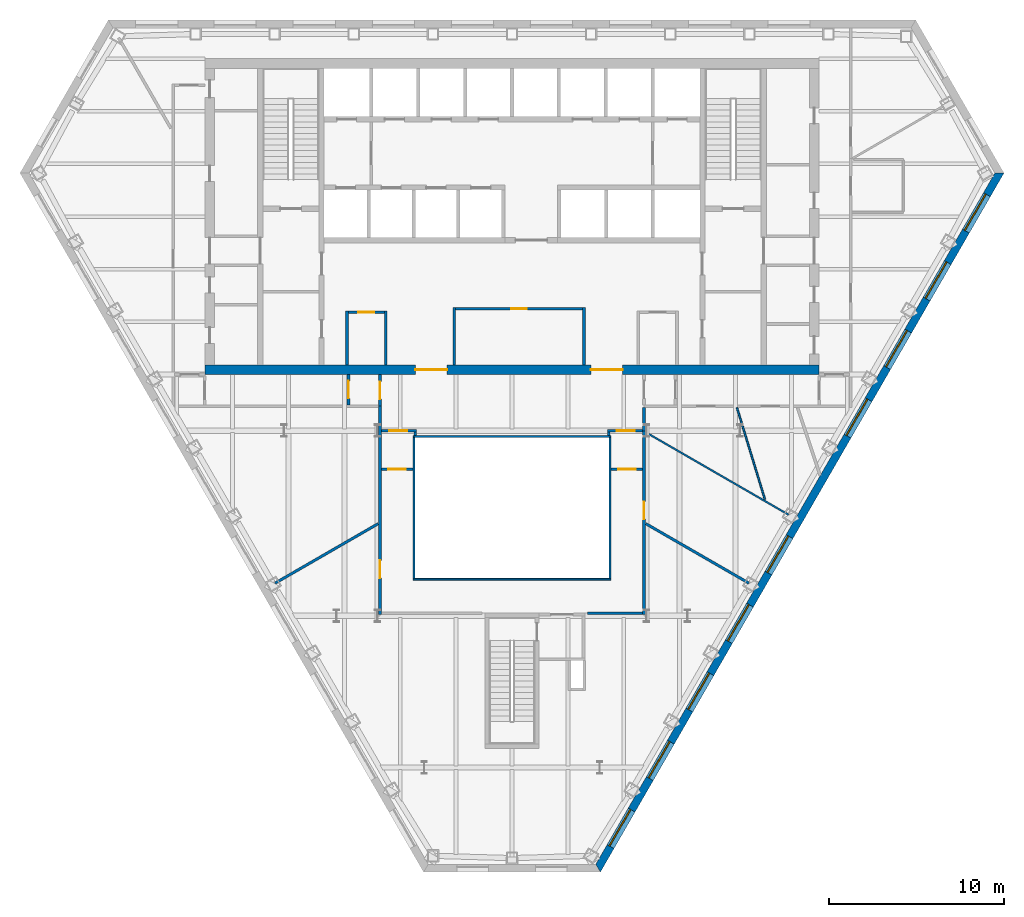
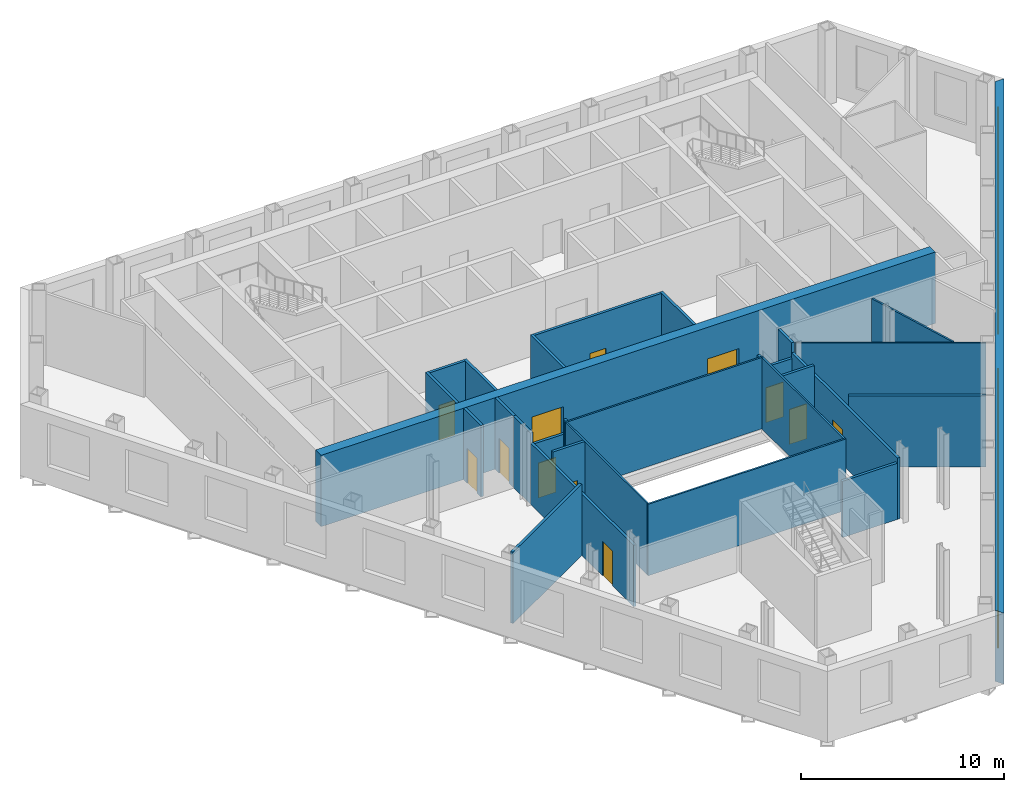
# One storey, part 5 of 11: 29 walls, 12 doors, 9 windows, 21 openings.
"""IFC4 building model written with IfcOpenShell, lengths in metres."""

from ifc_helpers import new_model, si_unit, direction, frame, frame_2d, origin, place, context, subcontext, project, spatial, polyline, rectangle, outline, extrude, material, layer, layer_set, type_object, element, fill, save


model = new_model("IFC4")

# Units and contexts
model_context = context("Model", 3, precision=1e-05, world=origin(), true_north=direction((0.0, 1.0)))
body_context = subcontext(model_context, "Body", "Model", "MODEL_VIEW")
ifc_project = project(units=[si_unit("LENGTHUNIT", "METRE"), si_unit("AREAUNIT", "SQUARE_METRE"), si_unit("VOLUMEUNIT", "CUBIC_METRE"), si_unit("PLANEANGLEUNIT", "RADIAN"), si_unit("MASSUNIT", "GRAM", prefix="KILO")], contexts=[model_context])

# Site, building, storey
site_placement = place(None, origin())
site = spatial("IfcSite", under=ifc_project, at=site_placement, CompositionType="ELEMENT")
building_placement = place(site_placement, origin())
building = spatial("IfcBuilding", under=site, at=building_placement, Name="Njiva Tower", CompositionType="ELEMENT")
storey_placement = place(building_placement, frame((0.0, 0.0, 97.8)))
storey = spatial("IfcBuildingStorey", under=building, at=storey_placement, Name="L20", CompositionType="ELEMENT", Elevation=97.8)

# Walls
ifc_material_1 = material(Name="Blockwork", Category="masonry")
ifc_layer_1 = layer(ifc_material_1, 0.15)
ifc_layer_set_1 = layer_set([ifc_layer_1], Name="Blockwork")
wall_type_1 = type_object("IfcWallType", Name="WT1 Compartment partition 150", PredefinedType="PARTITIONING", material=ifc_layer_set_1)
for number, where, z_axis, x_axis, name in (
    (1, (-3.3, 0.55, 0.0), (0.0, 0.0, 1.0), (0.0, 1.0, 0.0), "Waiting room wall west"),
    (2, (4.1, 0.55, 0.0), (0.0, 0.0, 1.0), (0.0, 1.0, 0.0), "Waiting room wall east"),
):
    element("IfcWall", number, at=place(storey_placement, frame(where, z_axis=z_axis, x_axis=x_axis)), inside=storey, type_object=wall_type_1, Name=name, PredefinedType="PARTITIONING", context=body_context, shape_type="SweptSolid", body=[
        extrude(rectangle(XDim=3.275, YDim=0.15, at=frame_2d((1.6375, 0.0))), origin(), (0.0, 0.0, 1.0), 4.3),
    ])

# Wall, opening, door
wall_1_placement = place(storey_placement, frame((-3.225, 3.75, 0.0), z_axis=(0.0, 0.0, 1.0), x_axis=(1.0, 0.0, 0.0)))
wall_1 = element("IfcWall", 3, at=wall_1_placement, inside=storey, type_object=wall_type_1, Name="Waiting room wall north", PredefinedType="PARTITIONING", context=body_context, shape_type="SweptSolid", body=[
    extrude(rectangle(XDim=7.25, YDim=0.15, at=frame_2d((3.625, 0.0))), origin(), (0.0, 0.0, 1.0), 4.3),
])
opening_1_placement = place(wall_1_placement, frame((3.175, 0.0, 0.0)))
opening_1 = element("IfcOpeningElement", 4, at=opening_1_placement, cuts=wall_1, Name="Opening S07-D933", PredefinedType="OPENING", context=body_context, shape_type="SweptSolid", body=[
    extrude(rectangle(XDim=0.9, YDim=2.1, at=frame_2d((0.45, 1.05))), frame((0.0, 0.085, 0.0), z_axis=(0.0, -1.0, 0.0), x_axis=(1.0, 0.0, 0.0)), (0.0, 0.0, 1.0), 0.17),
])
ifc_material_2 = material(Name="Steel fire door, painted", Category="steel")
door_type_1 = type_object("IfcDoorType", Name="D6 Fire-rated door 900x2100", OperationType="SINGLE_SWING_LEFT", PredefinedType="DOOR", material=ifc_material_2)
door_1_placement = place(opening_1_placement, origin())
door_1 = element("IfcDoor", 5, at=door_1_placement, inside=storey, type_object=door_type_1, Name="Waiting room door", OperationType="SINGLE_SWING_LEFT", OverallHeight=2.1, OverallWidth=0.9, PredefinedType="DOOR", context=body_context, shape_type="SweptSolid", body=[
    extrude(rectangle(XDim=0.9, YDim=2.1, at=frame_2d((0.45, 1.05))), frame((0.0, 0.025, 0.0), z_axis=(0.0, -1.0, 0.0), x_axis=(1.0, 0.0, 0.0)), (0.0, 0.0, 1.0), 0.05),
])
fill(opening_1, door_1)

# Walls
for number, where, z_axis, x_axis, name in (
    (6, (-9.4, 0.55, 0.0), (0.0, 0.0, 1.0), (0.0, 1.0, 0.0), "First aid room wall west"),
    (7, (-7.2, 0.55, 0.0), (0.0, 0.0, 1.0), (0.0, 1.0, 0.0), "First aid room wall east"),
):
    element("IfcWall", number, at=place(storey_placement, frame(where, z_axis=z_axis, x_axis=x_axis)), inside=storey, type_object=wall_type_1, Name=name, PredefinedType="PARTITIONING", context=body_context, shape_type="SweptSolid", body=[
        extrude(rectangle(XDim=3.075, YDim=0.15, at=frame_2d((1.5375, 0.0))), origin(), (0.0, 0.0, 1.0), 4.3),
    ])

# Wall, opening, door
wall_2_placement = place(storey_placement, frame((-9.325, 3.55, 0.0), z_axis=(0.0, 0.0, 1.0), x_axis=(1.0, 0.0, 0.0)))
wall_2 = element("IfcWall", 8, at=wall_2_placement, inside=storey, type_object=wall_type_1, Name="First aid room wall north", PredefinedType="PARTITIONING", context=body_context, shape_type="SweptSolid", body=[
    extrude(rectangle(XDim=2.05, YDim=0.15, at=frame_2d((1.025, 0.0))), origin(), (0.0, 0.0, 1.0), 4.3),
])
opening_2_placement = place(wall_2_placement, frame((0.575, 0.0, 0.0)))
opening_2 = element("IfcOpeningElement", 9, at=opening_2_placement, cuts=wall_2, Name="Opening S07-D934", PredefinedType="OPENING", context=body_context, shape_type="SweptSolid", body=[
    extrude(rectangle(XDim=0.9, YDim=2.1, at=frame_2d((0.45, 1.05))), frame((0.0, 0.085, 0.0), z_axis=(0.0, -1.0, 0.0), x_axis=(1.0, 0.0, 0.0)), (0.0, 0.0, 1.0), 0.17),
])
door_2_placement = place(opening_2_placement, origin())
door_2 = element("IfcDoor", 10, at=door_2_placement, inside=storey, type_object=door_type_1, Name="First aid room door", OperationType="SINGLE_SWING_RIGHT", OverallHeight=2.1, OverallWidth=0.9, PredefinedType="DOOR", context=body_context, shape_type="SweptSolid", body=[
    extrude(rectangle(XDim=0.9, YDim=2.1, at=frame_2d((0.45, 1.05))), frame((0.0, 0.025, 0.0), z_axis=(0.0, -1.0, 0.0), x_axis=(1.0, 0.0, 0.0)), (0.0, 0.0, 1.0), 0.05),
])
fill(opening_2, door_2)

# Wall, openings, doors
ifc_material_3 = material(Name="Concrete C60/75", Category="concrete")
ifc_layer_2 = layer(ifc_material_3, 0.55)
ifc_layer_set_2 = layer_set([ifc_layer_2], Name="Concrete C60/75")
wall_type_2 = type_object("IfcWallType", Name="WT14 Core wall 550", PredefinedType="SHEAR", material=ifc_layer_set_2)
wall_3_placement = place(storey_placement, frame((-17.5, 0.275, 0.0), z_axis=(0.0, 0.0, 1.0), x_axis=(1.0, 0.0, 0.0)))
wall_3 = element("IfcWall", 11, at=wall_3_placement, inside=storey, type_object=wall_type_2, Name="Core wall south", PredefinedType="SHEAR", context=body_context, shape_type="SweptSolid", body=[
    extrude(rectangle(XDim=35.0, YDim=0.55, at=frame_2d((17.5, 0.0))), origin(), (0.0, 0.0, 1.0), 4.3),
])
opening_3_placement = place(wall_3_placement, frame((12.0, 0.0, 0.0)))
opening_3 = element("IfcOpeningElement", 12, at=opening_3_placement, cuts=wall_3, Name="Opening S07-D936", PredefinedType="OPENING", context=body_context, shape_type="SweptSolid", body=[
    extrude(rectangle(XDim=1.8, YDim=2.4, at=frame_2d((0.9, 1.2))), frame((0.0, 0.285, 0.0), z_axis=(0.0, -1.0, 0.0), x_axis=(1.0, 0.0, 0.0)), (0.0, 0.0, 1.0), 0.57),
])
opening_4_placement = place(wall_3_placement, frame((22.0, 0.0, 0.0)))
opening_4 = element("IfcOpeningElement", 13, at=opening_4_placement, cuts=wall_3, Name="Opening S07-D937", PredefinedType="OPENING", context=body_context, shape_type="SweptSolid", body=[
    extrude(rectangle(XDim=1.8, YDim=2.4, at=frame_2d((0.9, 1.2))), frame((0.0, 0.285, 0.0), z_axis=(0.0, -1.0, 0.0), x_axis=(1.0, 0.0, 0.0)), (0.0, 0.0, 1.0), 0.57),
])
ifc_material_4 = material(Name="Steel and glass door", Category="steel")
door_type_2 = type_object("IfcDoorType", Name="D3 Core entrance door 1800x2400", OperationType="DOUBLE_DOOR_SINGLE_SWING", PredefinedType="DOOR", material=ifc_material_4)
door_3_placement = place(opening_3_placement, origin())
door_3 = element("IfcDoor", 14, at=door_3_placement, inside=storey, type_object=door_type_2, Name="Core entrance door", OperationType="DOUBLE_DOOR_SINGLE_SWING", OverallHeight=2.4, OverallWidth=1.8, PredefinedType="DOOR", context=body_context, shape_type="SweptSolid", body=[
    extrude(rectangle(XDim=1.8, YDim=2.4, at=frame_2d((0.9, 1.2))), frame((0.0, 0.025, 0.0), z_axis=(0.0, -1.0, 0.0), x_axis=(1.0, 0.0, 0.0)), (0.0, 0.0, 1.0), 0.05),
])
fill(opening_3, door_3)
door_4_placement = place(opening_4_placement, origin())
door_4 = element("IfcDoor", 15, at=door_4_placement, inside=storey, type_object=door_type_2, Name="Core entrance door", OperationType="DOUBLE_DOOR_SINGLE_SWING", OverallHeight=2.4, OverallWidth=1.8, PredefinedType="DOOR", context=body_context, shape_type="SweptSolid", body=[
    extrude(rectangle(XDim=1.8, YDim=2.4, at=frame_2d((0.9, 1.2))), frame((0.0, 0.025, 0.0), z_axis=(0.0, -1.0, 0.0), x_axis=(1.0, 0.0, 0.0)), (0.0, 0.0, 1.0), 0.05),
])
fill(opening_4, door_4)

# Walls
ifc_material_5 = material(Name="Gypsum board on steel studs", Category="gypsum")
ifc_layer_3 = layer(ifc_material_5, 0.1)
ifc_layer_set_3 = layer_set([ifc_layer_3], Name="Gypsum board on steel studs")
wall_type_3 = type_object("IfcWallType", Name="WT20 Gypsum partition 100", PredefinedType="PARTITIONING", material=ifc_layer_set_3)
wall_4_placement = place(storey_placement, frame((7.62, -3.292, 0.0), z_axis=(0.0, 0.0, 1.0), x_axis=(0.866086324858, -0.499894466757, 0.0)))
element("IfcWall", 16, at=wall_4_placement, inside=storey, type_object=wall_type_3, Name="Partition S07-P023", PredefinedType="PARTITIONING", context=body_context, shape_type="SweptSolid", body=[
    extrude(rectangle(XDim=9.394, YDim=0.1, at=frame_2d((4.697, 0.0))), origin(), (0.0, 0.0, 1.0), 4.3),
])
wall_5_placement = place(storey_placement, frame((12.815, -1.89, 0.0), z_axis=(0.0, 0.0, 1.0), x_axis=(0.292567369611, -0.956244913314, 0.0)))
element("IfcWall", 17, at=wall_5_placement, inside=storey, type_object=wall_type_3, Name="Partition S07-P026", PredefinedType="PARTITIONING", context=body_context, shape_type="SweptSolid", body=[
    extrude(rectangle(XDim=5.462, YDim=0.1, at=frame_2d((2.731, 0.0))), origin(), (0.0, 0.0, 1.0), 4.3),
])
ifc_layer_4 = layer(ifc_material_5, 0.15)
ifc_layer_set_4 = layer_set([ifc_layer_4], Name="Gypsum board on steel studs")
wall_type_4 = type_object("IfcWallType", Name="WT21 Compartment wall 150", PredefinedType="PARTITIONING", material=ifc_layer_set_4)
wall_6_placement = place(storey_placement, frame((-13.502, -11.892, 0.0), z_axis=(0.0, 0.0, 1.0), x_axis=(0.866156106014, 0.499773548734, 0.0)))
element("IfcWall", 18, at=wall_6_placement, inside=storey, type_object=wall_type_4, Name="Partition S07-P007", PredefinedType="PARTITIONING", context=body_context, shape_type="SweptSolid", body=[
    extrude(rectangle(XDim=6.7771, YDim=0.15, at=frame_2d((3.3886, 0.0))), origin(), (0.0, 0.0, 1.0), 4.3),
])

# Wall, opening, door
wall_7_placement = place(storey_placement, frame((-9.32, -1.725, 0.0), z_axis=(0.0, 0.0, 1.0), x_axis=(0.0, 1.0, 0.0)))
wall_7 = element("IfcWall", 19, at=wall_7_placement, inside=storey, type_object=wall_type_4, Name="Partition S07-P008", PredefinedType="PARTITIONING", context=body_context, shape_type="SweptSolid", body=[
    extrude(rectangle(XDim=1.725, YDim=0.15, at=frame_2d((0.8625, 0.0))), origin(), (0.0, 0.0, 1.0), 4.3),
])
opening_5_placement = place(wall_7_placement, frame((0.363, 0.0, 0.0)))
opening_5 = element("IfcOpeningElement", 20, at=opening_5_placement, cuts=wall_7, Name="Opening S07-D005", PredefinedType="OPENING", context=body_context, shape_type="SweptSolid", body=[
    extrude(rectangle(XDim=1.0, YDim=2.1, at=frame_2d((0.5, 1.05))), frame((0.0, 0.085, 0.0), z_axis=(0.0, -1.0, 0.0), x_axis=(1.0, 0.0, 0.0)), (0.0, 0.0, 1.0), 0.17),
])
ifc_material_6 = material(Name="Steel fire door set", Category="steel")
door_type_3 = type_object("IfcDoorType", Name="D37 Fire door 1000x2100", OperationType="SINGLE_SWING_LEFT", PredefinedType="DOOR", material=ifc_material_6)
door_5_placement = place(opening_5_placement, origin())
door_5 = element("IfcDoor", 21, at=door_5_placement, inside=storey, type_object=door_type_3, Name="Door S07-D005", OperationType="SINGLE_SWING_LEFT", OverallHeight=2.1, OverallWidth=1.0, PredefinedType="DOOR", context=body_context, shape_type="SweptSolid", body=[
    extrude(rectangle(XDim=1.0, YDim=2.1, at=frame_2d((0.5, 1.05))), frame((0.0, 0.025, 0.0), z_axis=(0.0, -1.0, 0.0), x_axis=(1.0, 0.0, 0.0)), (0.0, 0.0, 1.0), 0.05),
])
fill(opening_5, door_5)

wall_8_placement = place(storey_placement, frame((-7.52, -13.675, 0.0), z_axis=(0.0, 0.0, 1.0), x_axis=(0.0, 1.0, 0.0)))
wall_8 = element("IfcWall", 22, at=wall_8_placement, inside=storey, type_object=wall_type_4, Name="Partition S07-P009", PredefinedType="PARTITIONING", context=body_context, shape_type="SweptSolid", body=[
    extrude(rectangle(XDim=10.167, YDim=0.15, at=frame_2d((5.0835, 0.0))), origin(), (0.0, 0.0, 1.0), 3.7),
])
opening_6_placement = place(wall_8_placement, frame((2.079, 0.0, 0.0)))
opening_6 = element("IfcOpeningElement", 23, at=opening_6_placement, cuts=wall_8, Name="Opening S07-D006", PredefinedType="OPENING", context=body_context, shape_type="SweptSolid", body=[
    extrude(rectangle(XDim=1.0, YDim=2.1, at=frame_2d((0.5, 1.05))), frame((0.0, 0.085, 0.0), z_axis=(0.0, -1.0, 0.0), x_axis=(1.0, 0.0, 0.0)), (0.0, 0.0, 1.0), 0.17),
])
door_6_placement = place(opening_6_placement, origin())
door_6 = element("IfcDoor", 24, at=door_6_placement, inside=storey, type_object=door_type_3, Name="Door S07-D006", OperationType="SINGLE_SWING_RIGHT", OverallHeight=2.1, OverallWidth=1.0, PredefinedType="DOOR", context=body_context, shape_type="SweptSolid", body=[
    extrude(rectangle(XDim=1.0, YDim=2.1, at=frame_2d((0.5, 1.05))), frame((0.0, 0.025, 0.0), z_axis=(0.0, -1.0, 0.0), x_axis=(1.0, 0.0, 0.0)), (0.0, 0.0, 1.0), 0.05),
])
fill(opening_6, door_6)

# Wall
wall_9_placement = place(storey_placement, frame((-7.52, -3.508, 0.0), z_axis=(0.0, 0.0, 1.0), x_axis=(0.0, 1.0, 0.0)))
element("IfcWall", 25, at=wall_9_placement, inside=storey, type_object=wall_type_4, Name="Partition S07-P009A", PredefinedType="PARTITIONING", context=body_context, shape_type="SweptSolid", body=[
    extrude(rectangle(XDim=1.704, YDim=0.15, at=frame_2d((0.852, 0.0))), origin(), (0.0, 0.0, 1.0), 4.3),
])

# Wall, opening, door
wall_10_placement = place(storey_placement, frame((-7.52, -1.8, 0.0), z_axis=(0.0, 0.0, 1.0), x_axis=(0.0, 1.0, 0.0)))
wall_10 = element("IfcWall", 26, at=wall_10_placement, inside=storey, type_object=wall_type_4, Name="Partition S07-P010", PredefinedType="PARTITIONING", context=body_context, shape_type="SweptSolid", body=[
    extrude(rectangle(XDim=1.8, YDim=0.15, at=frame_2d((0.9, 0.0))), origin(), (0.0, 0.0, 1.0), 4.3),
])
opening_7_placement = place(wall_10_placement, frame((0.4, 0.0, 0.0)))
opening_7 = element("IfcOpeningElement", 27, at=opening_7_placement, cuts=wall_10, Name="Opening S07-D007", PredefinedType="OPENING", context=body_context, shape_type="SweptSolid", body=[
    extrude(rectangle(XDim=1.0, YDim=2.1, at=frame_2d((0.5, 1.05))), frame((0.0, 0.085, 0.0), z_axis=(0.0, -1.0, 0.0), x_axis=(1.0, 0.0, 0.0)), (0.0, 0.0, 1.0), 0.17),
])
door_7_placement = place(opening_7_placement, origin())
door_7 = element("IfcDoor", 28, at=door_7_placement, inside=storey, type_object=door_type_3, Name="Door S07-D007", OperationType="SINGLE_SWING_LEFT", OverallHeight=2.1, OverallWidth=1.0, PredefinedType="DOOR", context=body_context, shape_type="SweptSolid", body=[
    extrude(rectangle(XDim=1.0, YDim=2.1, at=frame_2d((0.5, 1.05))), frame((0.0, 0.025, 0.0), z_axis=(0.0, -1.0, 0.0), x_axis=(1.0, 0.0, 0.0)), (0.0, 0.0, 1.0), 0.05),
])
fill(opening_7, door_7)

wall_11_placement = place(storey_placement, frame((-7.445, -5.4, 0.0), z_axis=(0.0, 0.0, 1.0), x_axis=(1.0, 0.0, 0.0)))
wall_11 = element("IfcWall", 29, at=wall_11_placement, inside=storey, type_object=wall_type_4, Name="Partition S07-P012", PredefinedType="PARTITIONING", context=body_context, shape_type="SweptSolid", body=[
    extrude(rectangle(XDim=1.805, YDim=0.15, at=frame_2d((0.9025, 0.0))), origin(), (0.0, 0.0, 1.0), 4.3),
])
opening_8_placement = place(wall_11_placement, frame((0.402, 0.0, 0.0)))
opening_8 = element("IfcOpeningElement", 30, at=opening_8_placement, cuts=wall_11, Name="Opening S07-D008", PredefinedType="OPENING", context=body_context, shape_type="SweptSolid", body=[
    extrude(rectangle(XDim=1.0, YDim=2.1, at=frame_2d((0.5, 1.05))), frame((0.0, 0.085, 0.0), z_axis=(0.0, -1.0, 0.0), x_axis=(1.0, 0.0, 0.0)), (0.0, 0.0, 1.0), 0.17),
])
door_8_placement = place(opening_8_placement, origin())
door_8 = element("IfcDoor", 31, at=door_8_placement, inside=storey, type_object=door_type_3, Name="Door S07-D008", OperationType="SINGLE_SWING_RIGHT", OverallHeight=2.1, OverallWidth=1.0, PredefinedType="DOOR", context=body_context, shape_type="SweptSolid", body=[
    extrude(rectangle(XDim=1.0, YDim=2.1, at=frame_2d((0.5, 1.05))), frame((0.0, 0.025, 0.0), z_axis=(0.0, -1.0, 0.0), x_axis=(1.0, 0.0, 0.0)), (0.0, 0.0, 1.0), 0.05),
])
fill(opening_8, door_8)

wall_12_placement = place(storey_placement, frame((-7.445, -3.2, 0.0), z_axis=(0.0, 0.0, 1.0), x_axis=(1.0, 0.0, 0.0)))
wall_12 = element("IfcWall", 32, at=wall_12_placement, inside=storey, type_object=wall_type_4, Name="Partition S07-P013", PredefinedType="PARTITIONING", context=body_context, shape_type="SweptSolid", body=[
    extrude(rectangle(XDim=2.0, YDim=0.15, at=frame_2d((1.0, 0.0))), origin(), (0.0, 0.0, 1.0), 3.39),
])
opening_9_placement = place(wall_12_placement, frame((0.462, 0.0, 0.0)))
opening_9 = element("IfcOpeningElement", 33, at=opening_9_placement, cuts=wall_12, Name="Opening S07-D009", PredefinedType="OPENING", context=body_context, shape_type="SweptSolid", body=[
    extrude(rectangle(XDim=1.0, YDim=2.1, at=frame_2d((0.5, 1.05))), frame((0.0, 0.085, 0.0), z_axis=(0.0, -1.0, 0.0), x_axis=(1.0, 0.0, 0.0)), (0.0, 0.0, 1.0), 0.17),
])
door_9_placement = place(opening_9_placement, origin())
door_9 = element("IfcDoor", 34, at=door_9_placement, inside=storey, type_object=door_type_3, Name="Door S07-D009", OperationType="SINGLE_SWING_RIGHT", OverallHeight=2.1, OverallWidth=1.0, PredefinedType="DOOR", context=body_context, shape_type="SweptSolid", body=[
    extrude(rectangle(XDim=1.0, YDim=2.1, at=frame_2d((0.5, 1.05))), frame((0.0, 0.025, 0.0), z_axis=(0.0, -1.0, 0.0), x_axis=(1.0, 0.0, 0.0)), (0.0, 0.0, 1.0), 0.05),
])
fill(opening_9, door_9)

# Walls
wall_13_placement = place(storey_placement, frame((-5.52, -3.48, 0.0), z_axis=(0.0, 0.0, 1.0), x_axis=(0.0, 1.0, 0.0)))
element("IfcWall", 35, at=wall_13_placement, inside=storey, type_object=wall_type_4, Name="Partition S07-P014", PredefinedType="PARTITIONING", context=body_context, shape_type="SweptSolid", body=[
    extrude(rectangle(XDim=0.205, YDim=0.15, at=frame_2d((0.1025, 0.0))), origin(), (0.0, 0.0, 1.0), 4.3),
])
wall_14_placement = place(storey_placement, frame((4.3, -13.6, 0.0), z_axis=(0.0, 0.0, 1.0), x_axis=(1.0, 0.0, 0.0)))
element("IfcWall", 36, at=wall_14_placement, inside=storey, type_object=wall_type_4, Name="Partition S07-P015", PredefinedType="PARTITIONING", context=body_context, shape_type="SweptSolid", body=[
    extrude(rectangle(XDim=3.145, YDim=0.15, at=frame_2d((1.5725, 0.0))), origin(), (0.0, 0.0, 1.0), 3.39),
])

# Wall, opening, door
wall_15_placement = place(storey_placement, frame((5.445, -3.2, 0.0), z_axis=(0.0, 0.0, 1.0), x_axis=(1.0, 0.0, 0.0)))
wall_15 = element("IfcWall", 37, at=wall_15_placement, inside=storey, type_object=wall_type_4, Name="Partition S07-P016", PredefinedType="PARTITIONING", context=body_context, shape_type="SweptSolid", body=[
    extrude(rectangle(XDim=2.0, YDim=0.15, at=frame_2d((1.0, 0.0))), origin(), (0.0, 0.0, 1.0), 3.39),
])
opening_10_placement = place(wall_15_placement, frame((0.538, 0.0, 0.0)))
opening_10 = element("IfcOpeningElement", 38, at=opening_10_placement, cuts=wall_15, Name="Opening S07-D010", PredefinedType="OPENING", context=body_context, shape_type="SweptSolid", body=[
    extrude(rectangle(XDim=1.0, YDim=2.1, at=frame_2d((0.5, 1.05))), frame((0.0, 0.085, 0.0), z_axis=(0.0, -1.0, 0.0), x_axis=(1.0, 0.0, 0.0)), (0.0, 0.0, 1.0), 0.17),
])
door_10_placement = place(opening_10_placement, origin())
door_10 = element("IfcDoor", 39, at=door_10_placement, inside=storey, type_object=door_type_3, Name="Door S07-D010", OperationType="SINGLE_SWING_LEFT", OverallHeight=2.1, OverallWidth=1.0, PredefinedType="DOOR", context=body_context, shape_type="SweptSolid", body=[
    extrude(rectangle(XDim=1.0, YDim=2.1, at=frame_2d((0.5, 1.05))), frame((0.0, 0.025, 0.0), z_axis=(0.0, -1.0, 0.0), x_axis=(1.0, 0.0, 0.0)), (0.0, 0.0, 1.0), 0.05),
])
fill(opening_10, door_10)

# Wall
wall_16_placement = place(storey_placement, frame((5.52, -3.48, 0.0), z_axis=(0.0, 0.0, 1.0), x_axis=(0.0, 1.0, 0.0)))
element("IfcWall", 40, at=wall_16_placement, inside=storey, type_object=wall_type_4, Name="Partition S07-P017", PredefinedType="PARTITIONING", context=body_context, shape_type="SweptSolid", body=[
    extrude(rectangle(XDim=0.205, YDim=0.15, at=frame_2d((0.1025, 0.0))), origin(), (0.0, 0.0, 1.0), 4.3),
])

# Wall, opening, door
wall_17_placement = place(storey_placement, frame((5.64, -5.4, 0.0), z_axis=(0.0, 0.0, 1.0), x_axis=(1.0, 0.0, 0.0)))
wall_17 = element("IfcWall", 41, at=wall_17_placement, inside=storey, type_object=wall_type_4, Name="Partition S07-P018", PredefinedType="PARTITIONING", context=body_context, shape_type="SweptSolid", body=[
    extrude(rectangle(XDim=1.805, YDim=0.15, at=frame_2d((0.9025, 0.0))), origin(), (0.0, 0.0, 1.0), 4.3),
])
opening_11_placement = place(wall_17_placement, frame((0.402, 0.0, 0.0)))
opening_11 = element("IfcOpeningElement", 42, at=opening_11_placement, cuts=wall_17, Name="Opening S07-D011", PredefinedType="OPENING", context=body_context, shape_type="SweptSolid", body=[
    extrude(rectangle(XDim=1.0, YDim=2.1, at=frame_2d((0.5, 1.05))), frame((0.0, 0.085, 0.0), z_axis=(0.0, -1.0, 0.0), x_axis=(1.0, 0.0, 0.0)), (0.0, 0.0, 1.0), 0.17),
])
door_11_placement = place(opening_11_placement, origin())
door_11 = element("IfcDoor", 43, at=door_11_placement, inside=storey, type_object=door_type_3, Name="Door S07-D011", OperationType="SINGLE_SWING_RIGHT", OverallHeight=2.1, OverallWidth=1.0, PredefinedType="DOOR", context=body_context, shape_type="SweptSolid", body=[
    extrude(rectangle(XDim=1.0, YDim=2.1, at=frame_2d((0.5, 1.05))), frame((0.0, 0.025, 0.0), z_axis=(0.0, -1.0, 0.0), x_axis=(1.0, 0.0, 0.0)), (0.0, 0.0, 1.0), 0.05),
])
fill(opening_11, door_11)

wall_18_placement = place(storey_placement, frame((7.52, -13.675, 0.0), z_axis=(0.0, 0.0, 1.0), x_axis=(0.0, 1.0, 0.0)))
wall_18 = element("IfcWall", 44, at=wall_18_placement, inside=storey, type_object=wall_type_4, Name="Partition S07-P019", PredefinedType="PARTITIONING", context=body_context, shape_type="SweptSolid", body=[
    extrude(rectangle(XDim=10.452, YDim=0.15, at=frame_2d((5.226, 0.0))), origin(), (0.0, 0.0, 1.0), 3.7),
])
opening_12_placement = place(wall_18_placement, frame((5.435, 0.0, 0.0)))
opening_12 = element("IfcOpeningElement", 45, at=opening_12_placement, cuts=wall_18, Name="Opening S07-D012", PredefinedType="OPENING", context=body_context, shape_type="SweptSolid", body=[
    extrude(rectangle(XDim=1.0, YDim=2.1, at=frame_2d((0.5, 1.05))), frame((0.0, 0.085, 0.0), z_axis=(0.0, -1.0, 0.0), x_axis=(1.0, 0.0, 0.0)), (0.0, 0.0, 1.0), 0.17),
])
door_12_placement = place(opening_12_placement, origin())
door_12 = element("IfcDoor", 46, at=door_12_placement, inside=storey, type_object=door_type_3, Name="Door S07-D012", OperationType="SINGLE_SWING_RIGHT", OverallHeight=2.1, OverallWidth=1.0, PredefinedType="DOOR", context=body_context, shape_type="SweptSolid", body=[
    extrude(rectangle(XDim=1.0, YDim=2.1, at=frame_2d((0.5, 1.05))), frame((0.0, 0.025, 0.0), z_axis=(0.0, -1.0, 0.0), x_axis=(1.0, 0.0, 0.0)), (0.0, 0.0, 1.0), 0.05),
])
fill(opening_12, door_12)

# Walls
wall_19_placement = place(storey_placement, frame((7.52, -3.223, 0.0), z_axis=(0.0, 0.0, 1.0), x_axis=(0.0, 1.0, 0.0)))
element("IfcWall", 47, at=wall_19_placement, inside=storey, type_object=wall_type_4, Name="Partition S07-P020", PredefinedType="PARTITIONING", context=body_context, shape_type="SweptSolid", body=[
    extrude(rectangle(XDim=1.348, YDim=0.15, at=frame_2d((0.674, 0.0))), origin(), (0.0, 0.0, 1.0), 4.3),
])
wall_20_placement = place(storey_placement, frame((7.632, -8.505, 0.0), z_axis=(0.0, 0.0, 1.0), x_axis=(0.866092229152, -0.499884237201, 0.0)))
element("IfcWall", 48, at=wall_20_placement, inside=storey, type_object=wall_type_4, Name="Partition S07-P024", PredefinedType="PARTITIONING", context=body_context, shape_type="SweptSolid", body=[
    extrude(rectangle(XDim=6.7776, YDim=0.15, at=frame_2d((3.3888, 0.0))), origin(), (0.0, 0.0, 1.0), 4.3),
])

# Wall, openings, windows
ifc_material_7 = material(Name="Brick masonry", Category="masonry")
ifc_layer_5 = layer(ifc_material_7, 0.45)
ifc_layer_set_5 = layer_set([ifc_layer_5], Name="Brick masonry")
wall_type_5 = type_object("IfcWallType", Name="WT90 Brick pier and spandrel wall 450", PredefinedType="SOLIDWALL", material=ifc_layer_set_5)
wall_21_placement = place(storey_placement, frame((4.9051, -28.133, -0.18), z_axis=(0.0, 0.0, 1.0), x_axis=(0.500000711659, 0.866024992908, 0.0)))
wall_21 = element("IfcWall", 49, at=wall_21_placement, inside=storey, type_object=wall_type_5, Name="Facade wall SE", PredefinedType="SOLIDWALL", context=body_context, shape_type="SweptSolid", body=[
    extrude(outline(polyline([(-0.1299, -0.225), (45.87, -0.225), (45.6102, 0.225), (0.1299, 0.225), (-0.1299, -0.225)])), origin(), (0.0, 0.0, 1.0), 4.28),
])
opening_13_placement = place(wall_21_placement, frame((1.4242, 0.0, 1.08)))
opening_13 = element("IfcOpeningElement", 50, at=opening_13_placement, cuts=wall_21, Name="Opening S07-W24", PredefinedType="OPENING", context=body_context, shape_type="SweptSolid", body=[
    extrude(rectangle(XDim=2.4, YDim=2.6, at=frame_2d((1.2, 1.3))), frame((0.0, 0.235, 0.0), z_axis=(0.0, -1.0, 0.0), x_axis=(1.0, 0.0, 0.0)), (0.0, 0.0, 1.0), 0.47),
])
opening_14_placement = place(wall_21_placement, frame((5.8934, 0.0, 1.08)))
opening_14 = element("IfcOpeningElement", 51, at=opening_14_placement, cuts=wall_21, Name="Opening S07-W25", PredefinedType="OPENING", context=body_context, shape_type="SweptSolid", body=[
    extrude(rectangle(XDim=2.4, YDim=2.6, at=frame_2d((1.2, 1.3))), frame((0.0, 0.235, 0.0), z_axis=(0.0, -1.0, 0.0), x_axis=(1.0, 0.0, 0.0)), (0.0, 0.0, 1.0), 0.47),
])
opening_15_placement = place(wall_21_placement, frame((10.401, 0.0, 1.08)))
opening_15 = element("IfcOpeningElement", 52, at=opening_15_placement, cuts=wall_21, Name="Opening S07-W26", PredefinedType="OPENING", context=body_context, shape_type="SweptSolid", body=[
    extrude(rectangle(XDim=2.4, YDim=2.6, at=frame_2d((1.2, 1.3))), frame((0.0, 0.235, 0.0), z_axis=(0.0, -1.0, 0.0), x_axis=(1.0, 0.0, 0.0)), (0.0, 0.0, 1.0), 0.47),
])
opening_16_placement = place(wall_21_placement, frame((14.9087, 0.0, 1.08)))
opening_16 = element("IfcOpeningElement", 53, at=opening_16_placement, cuts=wall_21, Name="Opening S07-W27", PredefinedType="OPENING", context=body_context, shape_type="SweptSolid", body=[
    extrude(rectangle(XDim=2.4, YDim=2.6, at=frame_2d((1.2, 1.3))), frame((0.0, 0.235, 0.0), z_axis=(0.0, -1.0, 0.0), x_axis=(1.0, 0.0, 0.0)), (0.0, 0.0, 1.0), 0.47),
])
opening_17_placement = place(wall_21_placement, frame((19.4163, 0.0, 1.08)))
opening_17 = element("IfcOpeningElement", 54, at=opening_17_placement, cuts=wall_21, Name="Opening S07-W28", PredefinedType="OPENING", context=body_context, shape_type="SweptSolid", body=[
    extrude(rectangle(XDim=2.4, YDim=2.6, at=frame_2d((1.2, 1.3))), frame((0.0, 0.235, 0.0), z_axis=(0.0, -1.0, 0.0), x_axis=(1.0, 0.0, 0.0)), (0.0, 0.0, 1.0), 0.47),
])
opening_18_placement = place(wall_21_placement, frame((28.4315, 0.0, 1.08)))
opening_18 = element("IfcOpeningElement", 55, at=opening_18_placement, cuts=wall_21, Name="Opening S07-W29", PredefinedType="OPENING", context=body_context, shape_type="SweptSolid", body=[
    extrude(rectangle(XDim=2.4, YDim=2.6, at=frame_2d((1.2, 1.3))), frame((0.0, 0.235, 0.0), z_axis=(0.0, -1.0, 0.0), x_axis=(1.0, 0.0, 0.0)), (0.0, 0.0, 1.0), 0.47),
])
opening_19_placement = place(wall_21_placement, frame((32.9391, 0.0, 1.08)))
opening_19 = element("IfcOpeningElement", 56, at=opening_19_placement, cuts=wall_21, Name="Opening S07-W30", PredefinedType="OPENING", context=body_context, shape_type="SweptSolid", body=[
    extrude(rectangle(XDim=2.4, YDim=2.6, at=frame_2d((1.2, 1.3))), frame((0.0, 0.235, 0.0), z_axis=(0.0, -1.0, 0.0), x_axis=(1.0, 0.0, 0.0)), (0.0, 0.0, 1.0), 0.47),
])
opening_20_placement = place(wall_21_placement, frame((37.4468, 0.0, 1.08)))
opening_20 = element("IfcOpeningElement", 57, at=opening_20_placement, cuts=wall_21, Name="Opening S07-W31", PredefinedType="OPENING", context=body_context, shape_type="SweptSolid", body=[
    extrude(rectangle(XDim=2.4, YDim=2.6, at=frame_2d((1.2, 1.3))), frame((0.0, 0.235, 0.0), z_axis=(0.0, -1.0, 0.0), x_axis=(1.0, 0.0, 0.0)), (0.0, 0.0, 1.0), 0.47),
])
opening_21_placement = place(wall_21_placement, frame((41.916, 0.0, 1.08)))
opening_21 = element("IfcOpeningElement", 58, at=opening_21_placement, cuts=wall_21, Name="Opening S07-W32", PredefinedType="OPENING", context=body_context, shape_type="SweptSolid", body=[
    extrude(rectangle(XDim=2.4, YDim=2.6, at=frame_2d((1.2, 1.3))), frame((0.0, 0.235, 0.0), z_axis=(0.0, -1.0, 0.0), x_axis=(1.0, 0.0, 0.0)), (0.0, 0.0, 1.0), 0.47),
])
ifc_material_8 = material(Name="Clear glazing in aluminium frame", Category="aluminium")
window_type = type_object("IfcWindowType", Name="W92 Deep-set window 2400x2600", PartitioningType="SINGLE_PANEL", PredefinedType="WINDOW", material=ifc_material_8)
window_1_placement = place(opening_13_placement, origin())
window_1 = element("IfcWindow", 59, at=window_1_placement, inside=storey, type_object=window_type, Name="Window", OverallHeight=2.6, OverallWidth=2.4, PartitioningType="SINGLE_PANEL", PredefinedType="WINDOW", context=body_context, shape_type="SweptSolid", body=[
    extrude(rectangle(XDim=2.4, YDim=2.6, at=frame_2d((1.2, 1.3))), frame((0.0, 0.105, 0.0), z_axis=(0.0, -1.0, 0.0), x_axis=(1.0, 0.0, 0.0)), (0.0, 0.0, 1.0), 0.06),
])
fill(opening_13, window_1)
window_2_placement = place(opening_14_placement, origin())
window_2 = element("IfcWindow", 60, at=window_2_placement, inside=storey, type_object=window_type, Name="Window", OverallHeight=2.6, OverallWidth=2.4, PartitioningType="SINGLE_PANEL", PredefinedType="WINDOW", context=body_context, shape_type="SweptSolid", body=[
    extrude(rectangle(XDim=2.4, YDim=2.6, at=frame_2d((1.2, 1.3))), frame((0.0, 0.105, 0.0), z_axis=(0.0, -1.0, 0.0), x_axis=(1.0, 0.0, 0.0)), (0.0, 0.0, 1.0), 0.06),
])
fill(opening_14, window_2)
window_3_placement = place(opening_15_placement, origin())
window_3 = element("IfcWindow", 61, at=window_3_placement, inside=storey, type_object=window_type, Name="Window", OverallHeight=2.6, OverallWidth=2.4, PartitioningType="SINGLE_PANEL", PredefinedType="WINDOW", context=body_context, shape_type="SweptSolid", body=[
    extrude(rectangle(XDim=2.4, YDim=2.6, at=frame_2d((1.2, 1.3))), frame((0.0, 0.105, 0.0), z_axis=(0.0, -1.0, 0.0), x_axis=(1.0, 0.0, 0.0)), (0.0, 0.0, 1.0), 0.06),
])
fill(opening_15, window_3)
window_4_placement = place(opening_16_placement, origin())
window_4 = element("IfcWindow", 62, at=window_4_placement, inside=storey, type_object=window_type, Name="Window", OverallHeight=2.6, OverallWidth=2.4, PartitioningType="SINGLE_PANEL", PredefinedType="WINDOW", context=body_context, shape_type="SweptSolid", body=[
    extrude(rectangle(XDim=2.4, YDim=2.6, at=frame_2d((1.2, 1.3))), frame((0.0, 0.105, 0.0), z_axis=(0.0, -1.0, 0.0), x_axis=(1.0, 0.0, 0.0)), (0.0, 0.0, 1.0), 0.06),
])
fill(opening_16, window_4)
window_5_placement = place(opening_17_placement, origin())
window_5 = element("IfcWindow", 63, at=window_5_placement, inside=storey, type_object=window_type, Name="Window", OverallHeight=2.6, OverallWidth=2.4, PartitioningType="SINGLE_PANEL", PredefinedType="WINDOW", context=body_context, shape_type="SweptSolid", body=[
    extrude(rectangle(XDim=2.4, YDim=2.6, at=frame_2d((1.2, 1.3))), frame((0.0, 0.105, 0.0), z_axis=(0.0, -1.0, 0.0), x_axis=(1.0, 0.0, 0.0)), (0.0, 0.0, 1.0), 0.06),
])
fill(opening_17, window_5)
window_6_placement = place(opening_18_placement, origin())
window_6 = element("IfcWindow", 64, at=window_6_placement, inside=storey, type_object=window_type, Name="Window", OverallHeight=2.6, OverallWidth=2.4, PartitioningType="SINGLE_PANEL", PredefinedType="WINDOW", context=body_context, shape_type="SweptSolid", body=[
    extrude(rectangle(XDim=2.4, YDim=2.6, at=frame_2d((1.2, 1.3))), frame((0.0, 0.105, 0.0), z_axis=(0.0, -1.0, 0.0), x_axis=(1.0, 0.0, 0.0)), (0.0, 0.0, 1.0), 0.06),
])
fill(opening_18, window_6)
window_7_placement = place(opening_19_placement, origin())
window_7 = element("IfcWindow", 65, at=window_7_placement, inside=storey, type_object=window_type, Name="Window", OverallHeight=2.6, OverallWidth=2.4, PartitioningType="SINGLE_PANEL", PredefinedType="WINDOW", context=body_context, shape_type="SweptSolid", body=[
    extrude(rectangle(XDim=2.4, YDim=2.6, at=frame_2d((1.2, 1.3))), frame((0.0, 0.105, 0.0), z_axis=(0.0, -1.0, 0.0), x_axis=(1.0, 0.0, 0.0)), (0.0, 0.0, 1.0), 0.06),
])
fill(opening_19, window_7)
window_8_placement = place(opening_20_placement, origin())
window_8 = element("IfcWindow", 66, at=window_8_placement, inside=storey, type_object=window_type, Name="Window", OverallHeight=2.6, OverallWidth=2.4, PartitioningType="SINGLE_PANEL", PredefinedType="WINDOW", context=body_context, shape_type="SweptSolid", body=[
    extrude(rectangle(XDim=2.4, YDim=2.6, at=frame_2d((1.2, 1.3))), frame((0.0, 0.105, 0.0), z_axis=(0.0, -1.0, 0.0), x_axis=(1.0, 0.0, 0.0)), (0.0, 0.0, 1.0), 0.06),
])
fill(opening_20, window_8)
window_9_placement = place(opening_21_placement, origin())
window_9 = element("IfcWindow", 67, at=window_9_placement, inside=storey, type_object=window_type, Name="Window", OverallHeight=2.6, OverallWidth=2.4, PartitioningType="SINGLE_PANEL", PredefinedType="WINDOW", context=body_context, shape_type="SweptSolid", body=[
    extrude(rectangle(XDim=2.4, YDim=2.6, at=frame_2d((1.2, 1.3))), frame((0.0, 0.105, 0.0), z_axis=(0.0, -1.0, 0.0), x_axis=(1.0, 0.0, 0.0)), (0.0, 0.0, 1.0), 0.06),
])
fill(opening_21, window_9)

# Walls
ifc_material_9 = material(Name="Fire-resisting glazing EI 90", Category="glass")
ifc_layer_6 = layer(ifc_material_9, 0.1)
ifc_layer_set_6 = layer_set([ifc_layer_6], Name="Fire-resisting glazing EI 90")
wall_type_6 = type_object("IfcWallType", Name="WT95 Fire-resisting glazed screen EI 90", PredefinedType="PARTITIONING", material=ifc_layer_set_6)
wall_22_placement = place(storey_placement, frame((-5.64, -11.67, 0.0), z_axis=(0.0, 0.0, 1.0), x_axis=(1.0, 0.0, 0.0)))
element("IfcWall", 68, at=wall_22_placement, inside=storey, type_object=wall_type_6, Name="Atrium fire screen south", PredefinedType="PARTITIONING", context=body_context, shape_type="SweptSolid", body=[
    extrude(rectangle(XDim=11.28, YDim=0.1, at=frame_2d((5.64, 0.0))), origin(), (0.0, 0.0, 1.0), 4.3),
])
wall_23_placement = place(storey_placement, frame((5.59, -11.62, 0.0), z_axis=(0.0, 0.0, 1.0), x_axis=(0.0, 1.0, 0.0)))
element("IfcWall", 69, at=wall_23_placement, inside=storey, type_object=wall_type_6, Name="Atrium fire screen east", PredefinedType="PARTITIONING", context=body_context, shape_type="SweptSolid", body=[
    extrude(rectangle(XDim=8.04, YDim=0.1, at=frame_2d((4.02, 0.0))), origin(), (0.0, 0.0, 1.0), 4.3),
])
wall_24_placement = place(storey_placement, frame((5.64, -3.53, 0.0), z_axis=(0.0, 0.0, 1.0), x_axis=(-1.0, 0.0, 0.0)))
element("IfcWall", 70, at=wall_24_placement, inside=storey, type_object=wall_type_6, Name="Atrium fire screen north", PredefinedType="PARTITIONING", context=body_context, shape_type="SweptSolid", body=[
    extrude(rectangle(XDim=11.28, YDim=0.1, at=frame_2d((5.64, 0.0))), origin(), (0.0, 0.0, 1.0), 4.3),
])
wall_25_placement = place(storey_placement, frame((-5.59, -3.58, 0.0), z_axis=(0.0, 0.0, 1.0), x_axis=(0.0, -1.0, 0.0)))
element("IfcWall", 71, at=wall_25_placement, inside=storey, type_object=wall_type_6, Name="Atrium fire screen west", PredefinedType="PARTITIONING", context=body_context, shape_type="SweptSolid", body=[
    extrude(rectangle(XDim=8.04, YDim=0.1, at=frame_2d((4.02, 0.0))), origin(), (0.0, 0.0, 1.0), 4.3),
])

save(model, "model.ifc")
